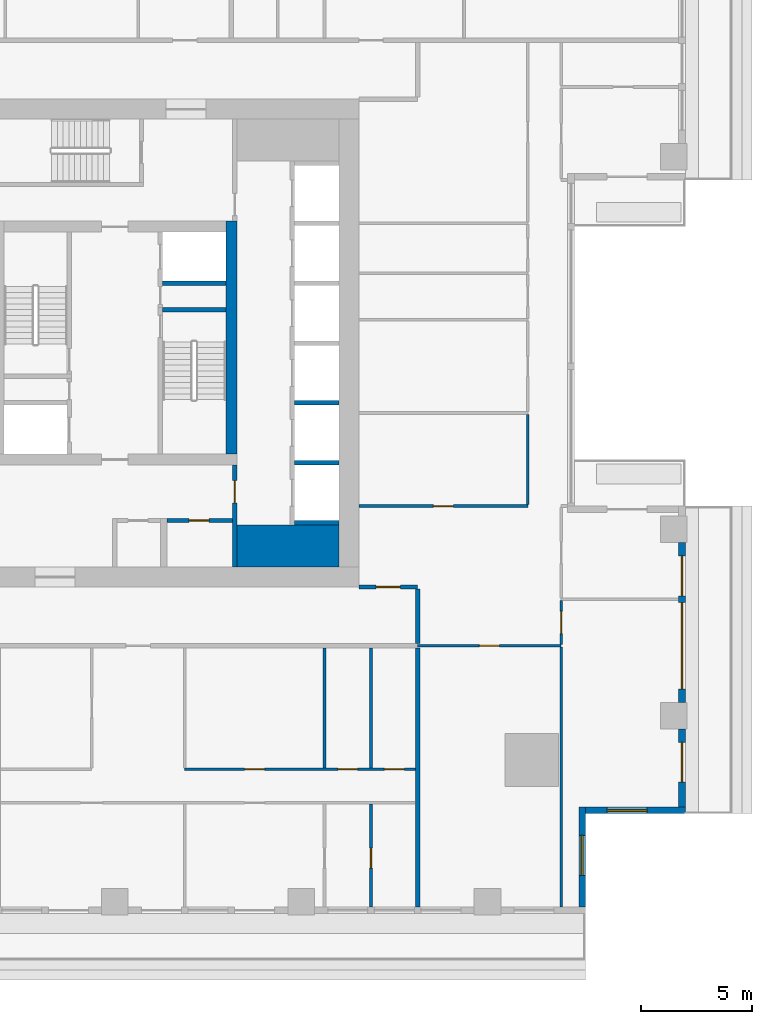
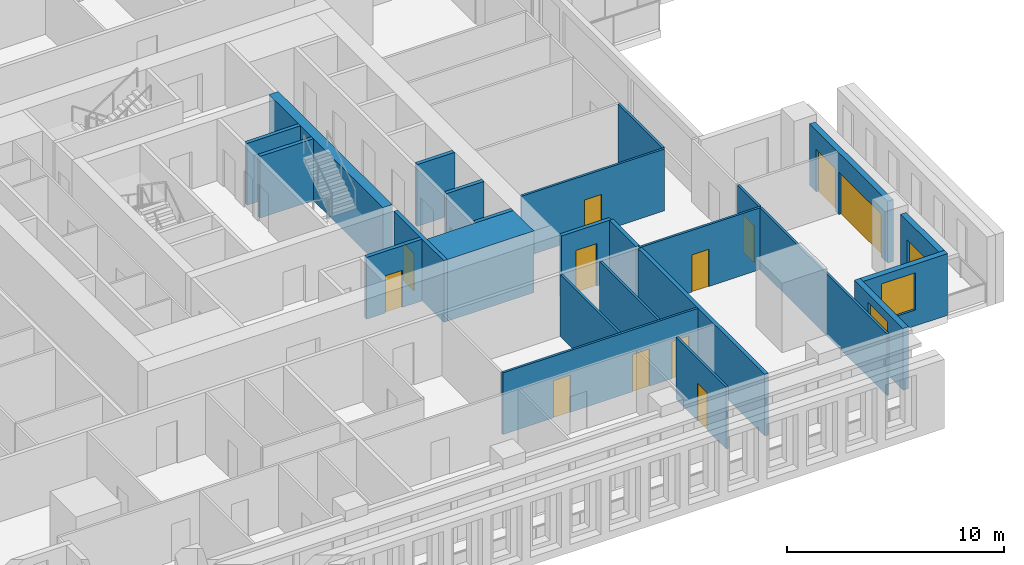
# One storey, part 5 of 16: 25 walls, 13 doors, 2 windows, 15 openings.
"""IFC4 building model written with IfcOpenShell, lengths in metres."""

from ifc_helpers import new_model, si_unit, direction, frame, frame_2d, origin, place, context, subcontext, project, spatial, rectangle, extrude, material, layer, layer_set, type_object, element, fill, save


model = new_model("IFC4")

# Units and contexts
model_context = context("Model", 3, precision=1e-05, world=origin(), true_north=direction((0.0, 1.0)))
body_context = subcontext(model_context, "Body", "Model", "MODEL_VIEW")
ifc_project = project(units=[si_unit("LENGTHUNIT", "METRE"), si_unit("AREAUNIT", "SQUARE_METRE"), si_unit("VOLUMEUNIT", "CUBIC_METRE"), si_unit("PLANEANGLEUNIT", "RADIAN"), si_unit("MASSUNIT", "GRAM", prefix="KILO")], contexts=[model_context])

# Site, building, storey
site_placement = place(None, origin())
site = spatial("IfcSite", under=ifc_project, at=site_placement, CompositionType="ELEMENT")
building_placement = place(site_placement, origin())
building = spatial("IfcBuilding", under=site, at=building_placement, Name="Khepri Terraces", CompositionType="ELEMENT")
storey_placement = place(building_placement, frame((0.0, 0.0, 204.0)))
storey = spatial("IfcBuildingStorey", under=building, at=storey_placement, Name="L48", CompositionType="ELEMENT", Elevation=204.0)

# Walls
ifc_material_1 = material(Name="Concrete C50/60", Category="concrete")
ifc_layer_1 = layer(ifc_material_1, 1.89990234375, Name="Concrete C50/60", Category="concrete")
ifc_layer_set_1 = layer_set([ifc_layer_1], Name="Concrete C50/60")
wall_type_1 = type_object("IfcWallType", Name="Core wall 1900 C50/60", PredefinedType="SHEAR", material=ifc_layer_set_1)
wall_1_placement = place(storey_placement, frame((5.5, -9.14990234375, 0.0), z_axis=(0.0, 0.0, 1.0), x_axis=(1.0, 0.0, 0.0)))
element("IfcWall", 1, at=wall_1_placement, inside=storey, type_object=wall_type_1, Name="Core wall PR02 L48", PredefinedType="SHEAR", context=body_context, shape_type="SweptSolid", body=[
    extrude(rectangle(XDim=4.60009765625, YDim=1.89990234375, at=frame_2d((2.300048828125, 0.0))), origin(), (0.0, 0.0, 1.0), 3.47998046875),
])
ifc_layer_2 = layer(ifc_material_1, 0.199951171875, Name="Concrete C50/60", Category="concrete")
ifc_layer_set_2 = layer_set([ifc_layer_2], Name="Concrete C50/60")
wall_type_2 = type_object("IfcWallType", Name="Core wall 200 C50/60", PredefinedType="SHEAR", material=ifc_layer_set_2)
wall_2_placement = place(storey_placement, frame((2.14990234375, 1.5, 0.0), z_axis=(0.0, 0.0, 1.0), x_axis=(1.0, 0.0, 0.0)))
element("IfcWall", 2, at=wall_2_placement, inside=storey, type_object=wall_type_2, Name="Core wall ST04 L48", PredefinedType="SHEAR", context=body_context, shape_type="SweptSolid", body=[
    extrude(rectangle(XDim=2.85009765625, YDim=0.199951171875, at=frame_2d((1.425048828125, 0.0))), origin(), (0.0, 0.0, 1.0), 3.47998046875),
])
for number, where, z_axis, x_axis, name in (
    (3, (8.10009765625, -8.10009765625, 0.0), (0.0, 0.0, 1.0), (1.0, 0.0, 0.0), "Core wall SH03 L48"),
    (4, (8.10009765625, -5.39990234375, 0.0), (0.0, 0.0, 1.0), (1.0, 0.0, 0.0), "Core wall SH04 L48"),
    (5, (8.10009765625, -2.699951171875, 0.0), (0.0, 0.0, 1.0), (1.0, 0.0, 0.0), "Core wall SH08 L48"),
):
    element("IfcWall", number, at=place(storey_placement, frame(where, z_axis=z_axis, x_axis=x_axis)), inside=storey, type_object=wall_type_2, Name=name, PredefinedType="SHEAR", context=body_context, shape_type="SweptSolid", body=[
        extrude(rectangle(XDim=2.0, YDim=0.199951171875, at=frame_2d((1.0, 0.0))), origin(), (0.0, 0.0, 1.0), 3.47998046875),
    ])
wall_3_placement = place(storey_placement, frame((2.14990234375, 2.699951171875, 0.0), z_axis=(0.0, 0.0, 1.0), x_axis=(1.0, 0.0, 0.0)))
element("IfcWall", 6, at=wall_3_placement, inside=storey, type_object=wall_type_2, Name="Core wall SH12 L48", PredefinedType="SHEAR", context=body_context, shape_type="SweptSolid", body=[
    extrude(rectangle(XDim=2.85009765625, YDim=0.199951171875, at=frame_2d((1.425048828125, 0.0))), origin(), (0.0, 0.0, 1.0), 3.47998046875),
])
ifc_layer_3 = layer(ifc_material_1, 0.5, Name="Concrete C50/60", Category="concrete")
ifc_layer_set_3 = layer_set([ifc_layer_3], Name="Concrete C50/60")
wall_type_3 = type_object("IfcWallType", Name="Core wall 500 C50/60", PredefinedType="SHEAR", material=ifc_layer_set_3)
wall_4_placement = place(storey_placement, frame((5.25, -5.0, 0.0), z_axis=(0.0, 0.0, 1.0), x_axis=(0.0, 1.0, 0.0)))
element("IfcWall", 7, at=wall_4_placement, inside=storey, type_object=wall_type_3, Name="Core wall BX03 L48", PredefinedType="SHEAR", context=body_context, shape_type="SweptSolid", body=[
    extrude(rectangle(XDim=10.5, YDim=0.5, at=frame_2d((5.25, 0.0))), origin(), (0.0, 0.0, 1.0), 3.47998046875),
])

# Wall, opening, door
ifc_material_2 = material(Name="Fire-rated gypsum board partition")
ifc_layer_4 = layer(ifc_material_2, 0.199951171875, Name="Fire-rated gypsum board partition")
ifc_layer_set_4 = layer_set([ifc_layer_4], Name="Fire-rated gypsum board partition")
wall_type_4 = type_object("IfcWallType", Name="WL-CORE-PART-200", PredefinedType="PARTITIONING", material=ifc_layer_set_4)
wall_5_placement = place(storey_placement, frame((5.39990234375, -10.10009765625, 0.0), z_axis=(0.0, 0.0, 1.0), x_axis=(0.0, 1.0, 0.0)))
wall_5 = element("IfcWall", 8, at=wall_5_placement, inside=storey, type_object=wall_type_4, Name="Core partition PT04 L48", PredefinedType="PARTITIONING", context=body_context, shape_type="SweptSolid", body=[
    extrude(rectangle(XDim=4.60009765625, YDim=0.199951171875, at=frame_2d((2.300048828125, 0.0))), origin(), (0.0, 0.0, 1.0), 3.47998046875),
])
opening_1_placement = place(wall_5_placement, frame((2.89990234375, 0.0, 0.0)))
opening_1 = element("IfcOpeningElement", 9, at=opening_1_placement, cuts=wall_5, Name="Opening L48-C19", PredefinedType="OPENING", context=body_context, shape_type="SweptSolid", body=[
    extrude(rectangle(XDim=1.0, YDim=2.10009765625, at=frame_2d((0.5, 1.050048828125))), frame((0.0, 0.10986328125, 0.0), z_axis=(0.0, -1.0, 0.0), x_axis=(1.0, 0.0, 0.0)), (0.0, 0.0, 1.0), 0.219970703125),
])
ifc_material_3 = material(Name="Painted steel", Category="steel")
door_type_1 = type_object("IfcDoorType", Name="DR-CORE-LOBBY-1000", OperationType="NOTDEFINED", PredefinedType="DOOR", material=ifc_material_3)
door_1_placement = place(opening_1_placement, origin())
door_1 = element("IfcDoor", 10, at=door_1_placement, inside=storey, type_object=door_type_1, Name="Lobby door L48-C19", OperationType="SINGLE_SWING_RIGHT", OverallHeight=2.10009765625, OverallWidth=1.0, PredefinedType="DOOR", context=body_context, shape_type="SweptSolid", body=[
    extrude(rectangle(XDim=1.0, YDim=2.10009765625, at=frame_2d((0.5, 1.050048828125))), frame((0.0, 0.02490234375, 0.0), z_axis=(0.0, -1.0, 0.0), x_axis=(1.0, 0.0, 0.0)), (0.0, 0.0, 1.0), 0.050048828125),
])
fill(opening_1, door_1)

wall_6_placement = place(storey_placement, frame((2.35009765625, -8.0, 0.0), z_axis=(0.0, 0.0, 1.0), x_axis=(1.0, 0.0, 0.0)))
wall_6 = element("IfcWall", 11, at=wall_6_placement, inside=storey, type_object=wall_type_4, Name="Core partition PT07 L48", PredefinedType="PARTITIONING", context=body_context, shape_type="SweptSolid", body=[
    extrude(rectangle(XDim=2.949951171875, YDim=0.199951171875, at=frame_2d((1.47509765625, 0.0))), origin(), (0.0, 0.0, 1.0), 3.47998046875),
])
opening_2_placement = place(wall_6_placement, frame((1.0, 0.0, 0.0)))
opening_2 = element("IfcOpeningElement", 12, at=opening_2_placement, cuts=wall_6, Name="Opening L48-C23", PredefinedType="OPENING", context=body_context, shape_type="SweptSolid", body=[
    extrude(rectangle(XDim=0.89990234375, YDim=2.10009765625, at=frame_2d((0.449951171875, 1.050048828125))), frame((0.0, 0.10986328125, 0.0), z_axis=(0.0, -1.0, 0.0), x_axis=(1.0, 0.0, 0.0)), (0.0, 0.0, 1.0), 0.219970703125),
])
door_type_2 = type_object("IfcDoorType", Name="DR-CORE-SERVICE-900", OperationType="NOTDEFINED", PredefinedType="DOOR", material=ifc_material_3)
door_2_placement = place(opening_2_placement, frame((0.89990234375, 0.0, 0.0), z_axis=(0.0, 0.0, 1.0), x_axis=(-1.0, 0.0, 0.0)))
door_2 = element("IfcDoor", 13, at=door_2_placement, inside=storey, type_object=door_type_2, Name="Service room door L48-C23", OperationType="SINGLE_SWING_RIGHT", OverallHeight=2.10009765625, OverallWidth=0.89990234375, PredefinedType="DOOR", context=body_context, shape_type="SweptSolid", body=[
    extrude(rectangle(XDim=0.89990234375, YDim=2.10009765625, at=frame_2d((0.449951171875, 1.050048828125))), frame((0.0, 0.02490234375, 0.0), z_axis=(0.0, -1.0, 0.0), x_axis=(1.0, 0.0, 0.0)), (0.0, 0.0, 1.0), 0.050048828125),
])
fill(opening_2, door_2)

# Walls
ifc_material_4 = material(Name="Fire-rated gypsum plasterboard partition, mineral wool")
ifc_layer_5 = layer(ifc_material_4, 0.199951171875, Name="Fire-rated gypsum plasterboard partition, mineral wool")
ifc_layer_set_5 = layer_set([ifc_layer_5], Name="Fire-rated gypsum plasterboard partition, mineral wool")
wall_type_5 = type_object("IfcWallType", Name="WL-CORR-200", PredefinedType="PARTITIONING", material=ifc_layer_set_5)
wall_7_placement = place(storey_placement, frame((13.64990234375, -25.419921875, 0.0), z_axis=(0.0, 0.0, 1.0), x_axis=(0.0, 1.0, 0.0)))
element("IfcWall", 14, at=wall_7_placement, inside=storey, type_object=wall_type_5, Name="Partition P-008 L48", PredefinedType="PARTITIONING", context=body_context, shape_type="SweptSolid", body=[
    extrude(rectangle(XDim=11.669921875, YDim=0.199951171875, at=frame_2d((5.8349609375, 0.0))), origin(), (0.0, 0.0, 1.0), 3.47998046875),
])
wall_8_placement = place(storey_placement, frame((13.64990234375, -13.550048828125, 0.0), z_axis=(0.0, 0.0, 1.0), x_axis=(0.0, 1.0, 0.0)))
element("IfcWall", 15, at=wall_8_placement, inside=storey, type_object=wall_type_5, Name="Partition P-029 L48", PredefinedType="PARTITIONING", context=body_context, shape_type="SweptSolid", body=[
    extrude(rectangle(XDim=2.449951171875, YDim=0.199951171875, at=frame_2d((1.22509765625, 0.0))), origin(), (0.0, 0.0, 1.0), 3.47998046875),
])

# Wall, opening, door
wall_9_placement = place(storey_placement, frame((11.0, -11.0, 0.0), z_axis=(0.0, 0.0, 1.0), x_axis=(1.0, 0.0, 0.0)))
wall_9 = element("IfcWall", 16, at=wall_9_placement, inside=storey, type_object=wall_type_5, Name="Partition P-036 L48", PredefinedType="PARTITIONING", context=body_context, shape_type="SweptSolid", body=[
    extrude(rectangle(XDim=2.64990234375, YDim=0.199951171875, at=frame_2d((1.324951171875, 0.0))), origin(), (0.0, 0.0, 1.0), 3.47998046875),
])
opening_3_placement = place(wall_9_placement, frame((0.77490234375, 0.0, 0.0)))
opening_3 = element("IfcOpeningElement", 17, at=opening_3_placement, cuts=wall_9, Name="Opening D1", PredefinedType="OPENING", context=body_context, shape_type="SweptSolid", body=[
    extrude(rectangle(XDim=1.10009765625, YDim=2.39990234375, at=frame_2d((0.550048828125, 1.199951171875))), frame((0.0, 0.10986328125, 0.0), z_axis=(0.0, -1.0, 0.0), x_axis=(1.0, 0.0, 0.0)), (0.0, 0.0, 1.0), 0.219970703125),
])
ifc_material_5 = material(Name="Solid-core timber door leaf, flat entrance door", Category="wood")
door_type_3 = type_object("IfcDoorType", Name="DR-ENT-1100", OperationType="NOTDEFINED", PredefinedType="DOOR", material=ifc_material_5)
door_3_placement = place(opening_3_placement, origin())
door_3 = element("IfcDoor", 18, at=door_3_placement, inside=storey, type_object=door_type_3, Name="Flat B1 entrance door", OperationType="SINGLE_SWING_LEFT", OverallHeight=2.39990234375, OverallWidth=1.10009765625, PredefinedType="DOOR", context=body_context, shape_type="SweptSolid", body=[
    extrude(rectangle(XDim=1.10009765625, YDim=2.39990234375, at=frame_2d((0.550048828125, 1.199951171875))), frame((0.0, 0.02490234375, 0.0), z_axis=(0.0, -1.0, 0.0), x_axis=(1.0, 0.0, 0.0)), (0.0, 0.0, 1.0), 0.050048828125),
])
fill(opening_3, door_3)

# Wall, opening, window
ifc_material_6 = material(Name="Precast concrete C50/60 warm stone", Category="masonry")
ifc_layer_6 = layer(ifc_material_6, 0.300048828125, Name="Precast concrete C50/60 warm stone", Category="masonry")
ifc_layer_set_6 = layer_set([ifc_layer_6], Name="Precast concrete C50/60 warm stone")
wall_type_6 = type_object("IfcWallType", Name="WL-EXT-PRECAST-300", PredefinedType="STANDARD", material=ifc_layer_set_6)
wall_10_placement = place(storey_placement, frame((21.219970703125, -21.070068359375, 0.0), z_axis=(0.0, 0.0, 1.0), x_axis=(1.0, 0.0, 0.0)))
wall_10 = element("IfcWall", 19, at=wall_10_placement, inside=storey, type_object=wall_type_6, Name="External wall L48 S", PredefinedType="STANDARD", context=body_context, shape_type="SweptSolid", body=[
    extrude(rectangle(XDim=4.5, YDim=0.300048828125, at=frame_2d((2.25, 0.0))), origin(), (0.0, 0.0, 1.0), 3.47998046875),
])
opening_4_placement = place(wall_10_placement, frame((0.97998046875, 0.0, 0.89990234375)))
opening_4 = element("IfcOpeningElement", 20, at=opening_4_placement, cuts=wall_10, Name="Opening W1", PredefinedType="OPENING", context=body_context, shape_type="SweptSolid", body=[
    extrude(rectangle(XDim=1.800048828125, YDim=2.10009765625, at=frame_2d((0.89990234375, 1.050048828125))), frame((0.0, 0.16015625, 0.0), z_axis=(0.0, -1.0, 0.0), x_axis=(1.0, 0.0, 0.0)), (0.0, 0.0, 1.0), 0.320068359375),
])
ifc_material_7 = material(Name="Clear glass", Category="glass")
window_type = type_object("IfcWindowType", Name="WIN-RES-1800x2100", PartitioningType="SINGLE_PANEL", PredefinedType="WINDOW", material=ifc_material_7)
window_1_placement = place(opening_4_placement, origin())
window_1 = element("IfcWindow", 21, at=window_1_placement, inside=storey, type_object=window_type, Name="Window L48 S", OverallHeight=2.10009765625, OverallWidth=1.800048828125, PartitioningType="SINGLE_PANEL", PredefinedType="WINDOW", context=body_context, shape_type="SweptSolid", body=[
    extrude(rectangle(XDim=1.800048828125, YDim=2.10009765625, at=frame_2d((0.89990234375, 1.050048828125))), frame((0.0, 0.030029296875, 0.0), z_axis=(0.0, -1.0, 0.0), x_axis=(1.0, 0.0, 0.0)), (0.0, 0.0, 1.0), 0.06005859375),
])
fill(opening_4, window_1)

# Wall, opening, door
wall_11_placement = place(storey_placement, frame((25.570068359375, -20.919921875, 0.0), z_axis=(0.0, 0.0, 1.0), x_axis=(0.0, 1.0, 0.0)))
wall_11 = element("IfcWall", 22, at=wall_11_placement, inside=storey, type_object=wall_type_6, Name="External wall L48 E", PredefinedType="STANDARD", context=body_context, shape_type="SweptSolid", body=[
    extrude(rectangle(XDim=3.52001953125, YDim=0.300048828125, at=frame_2d((1.760009765625, 0.0))), origin(), (0.0, 0.0, 1.0), 3.47998046875),
])
opening_5_placement = place(wall_11_placement, frame((1.1201171875, 0.0, 0.0)))
opening_5 = element("IfcOpeningElement", 23, at=opening_5_placement, cuts=wall_11, Name="Opening ED-L48-01", PredefinedType="OPENING", context=body_context, shape_type="SweptSolid", body=[
    extrude(rectangle(XDim=1.800048828125, YDim=2.39990234375, at=frame_2d((0.89990234375, 1.199951171875))), frame((0.0, 0.16015625, 0.0), z_axis=(0.0, -1.0, 0.0), x_axis=(1.0, 0.0, 0.0)), (0.0, 0.0, 1.0), 0.320068359375),
])
ifc_material_8 = material(Name="Anodised aluminium bronze glazed door", Category="aluminium")
door_type_4 = type_object("IfcDoorType", Name="DR-BAL-SLIDE-1800x2400", OperationType="NOTDEFINED", PredefinedType="DOOR", material=ifc_material_8)
door_4_placement = place(opening_5_placement, origin())
door_4 = element("IfcDoor", 24, at=door_4_placement, inside=storey, type_object=door_type_4, Name="Balcony door L48 E", OperationType="SLIDING_TO_RIGHT", OverallHeight=2.39990234375, OverallWidth=1.800048828125, PredefinedType="DOOR", context=body_context, shape_type="SweptSolid", body=[
    extrude(rectangle(XDim=1.800048828125, YDim=2.39990234375, at=frame_2d((0.89990234375, 1.199951171875))), frame((0.0, 0.02490234375, 0.0), z_axis=(0.0, -1.0, 0.0), x_axis=(1.0, 0.0, 0.0)), (0.0, 0.0, 1.0), 0.050048828125),
])
fill(opening_5, door_4)

# Wall, openings, doors
wall_12_placement = place(storey_placement, frame((25.570068359375, -16.199951171875, 0.0), z_axis=(0.0, 0.0, 1.0), x_axis=(0.0, 1.0, 0.0)))
wall_12 = element("IfcWall", 25, at=wall_12_placement, inside=storey, type_object=wall_type_6, Name="External wall L48 E", PredefinedType="STANDARD", context=body_context, shape_type="SweptSolid", body=[
    extrude(rectangle(XDim=7.199951171875, YDim=0.300048828125, at=frame_2d((3.60009765625, 0.0))), origin(), (0.0, 0.0, 1.0), 3.47998046875),
])
opening_6_placement = place(wall_12_placement, frame((0.60009765625, 0.0, 0.0)))
opening_6 = element("IfcOpeningElement", 26, at=opening_6_placement, cuts=wall_12, Name="Opening ED-L48-02", PredefinedType="OPENING", context=body_context, shape_type="SweptSolid", body=[
    extrude(rectangle(XDim=3.89990234375, YDim=2.39990234375, at=frame_2d((1.949951171875, 1.199951171875))), frame((0.0, 0.16015625, 0.0), z_axis=(0.0, -1.0, 0.0), x_axis=(1.0, 0.0, 0.0)), (0.0, 0.0, 1.0), 0.320068359375),
])
opening_7_placement = place(wall_12_placement, frame((4.800048828125, 0.0, 0.0)))
opening_7 = element("IfcOpeningElement", 27, at=opening_7_placement, cuts=wall_12, Name="Opening ED-L48-03", PredefinedType="OPENING", context=body_context, shape_type="SweptSolid", body=[
    extrude(rectangle(XDim=1.800048828125, YDim=2.39990234375, at=frame_2d((0.89990234375, 1.199951171875))), frame((0.0, 0.16015625, 0.0), z_axis=(0.0, -1.0, 0.0), x_axis=(1.0, 0.0, 0.0)), (0.0, 0.0, 1.0), 0.320068359375),
])
door_5_placement = place(opening_7_placement, origin())
door_5 = element("IfcDoor", 28, at=door_5_placement, inside=storey, type_object=door_type_4, Name="Balcony door L48 E", OperationType="SLIDING_TO_RIGHT", OverallHeight=2.39990234375, OverallWidth=1.800048828125, PredefinedType="DOOR", context=body_context, shape_type="SweptSolid", body=[
    extrude(rectangle(XDim=1.800048828125, YDim=2.39990234375, at=frame_2d((0.89990234375, 1.199951171875))), frame((0.0, 0.02490234375, 0.0), z_axis=(0.0, -1.0, 0.0), x_axis=(1.0, 0.0, 0.0)), (0.0, 0.0, 1.0), 0.050048828125),
])
fill(opening_7, door_5)
door_type_5 = type_object("IfcDoorType", Name="DR-BAL-SLIDE-3900x2400", OperationType="NOTDEFINED", PredefinedType="DOOR", material=ifc_material_8)
door_6_placement = place(opening_6_placement, origin())
door_6 = element("IfcDoor", 29, at=door_6_placement, inside=storey, type_object=door_type_5, Name="Balcony door L48 E", OperationType="SLIDING_TO_LEFT", OverallHeight=2.39990234375, OverallWidth=3.89990234375, PredefinedType="DOOR", context=body_context, shape_type="SweptSolid", body=[
    extrude(rectangle(XDim=3.89990234375, YDim=2.39990234375, at=frame_2d((1.949951171875, 1.199951171875))), frame((0.0, 0.02490234375, 0.0), z_axis=(0.0, -1.0, 0.0), x_axis=(1.0, 0.0, 0.0)), (0.0, 0.0, 1.0), 0.050048828125),
])
fill(opening_6, door_6)

# Wall, opening, window
wall_13_placement = place(storey_placement, frame((21.070068359375, -25.419921875, 0.0), z_axis=(0.0, 0.0, 1.0), x_axis=(0.0, 1.0, 0.0)))
wall_13 = element("IfcWall", 30, at=wall_13_placement, inside=storey, type_object=wall_type_6, Name="External wall L48 E", PredefinedType="STANDARD", context=body_context, shape_type="SweptSolid", body=[
    extrude(rectangle(XDim=4.5, YDim=0.300048828125, at=frame_2d((2.25, 0.0))), origin(), (0.0, 0.0, 1.0), 3.47998046875),
])
opening_8_placement = place(wall_13_placement, frame((1.419921875, 0.0, 0.89990234375)))
opening_8 = element("IfcOpeningElement", 31, at=opening_8_placement, cuts=wall_13, Name="Opening W1", PredefinedType="OPENING", context=body_context, shape_type="SweptSolid", body=[
    extrude(rectangle(XDim=1.800048828125, YDim=2.10009765625, at=frame_2d((0.89990234375, 1.050048828125))), frame((0.0, 0.16015625, 0.0), z_axis=(0.0, -1.0, 0.0), x_axis=(1.0, 0.0, 0.0)), (0.0, 0.0, 1.0), 0.320068359375),
])
window_2_placement = place(opening_8_placement, origin())
window_2 = element("IfcWindow", 32, at=window_2_placement, inside=storey, type_object=window_type, Name="Window L48 E", OverallHeight=2.10009765625, OverallWidth=1.800048828125, PartitioningType="SINGLE_PANEL", PredefinedType="WINDOW", context=body_context, shape_type="SweptSolid", body=[
    extrude(rectangle(XDim=1.800048828125, YDim=2.10009765625, at=frame_2d((0.89990234375, 1.050048828125))), frame((0.0, 0.030029296875, 0.0), z_axis=(0.0, -1.0, 0.0), x_axis=(1.0, 0.0, 0.0)), (0.0, 0.0, 1.0), 0.06005859375),
])
fill(opening_8, window_2)

# Wall, opening, door
ifc_material_9 = material(Name="Gypsum plasterboard partition")
ifc_layer_7 = layer(ifc_material_9, 0.1201171875, Name="Gypsum plasterboard partition")
ifc_layer_set_7 = layer_set([ifc_layer_7], Name="Gypsum plasterboard partition")
wall_type_7 = type_object("IfcWallType", Name="WL-PART-120", PredefinedType="PARTITIONING", material=ifc_layer_set_7)
wall_14_placement = place(storey_placement, frame((11.550048828125, -25.419921875, 0.0), z_axis=(0.0, 0.0, 1.0), x_axis=(0.0, 1.0, 0.0)))
wall_14 = element("IfcWall", 33, at=wall_14_placement, inside=storey, type_object=wall_type_7, Name="Partition P-007 L48", PredefinedType="PARTITIONING", context=body_context, shape_type="SweptSolid", body=[
    extrude(rectangle(XDim=4.639892578125, YDim=0.1201171875, at=frame_2d((2.31982421875, 0.0))), origin(), (0.0, 0.0, 1.0), 3.47998046875),
])
opening_9_placement = place(wall_14_placement, frame((1.75, 0.0, 0.0)))
opening_9 = element("IfcOpeningElement", 34, at=opening_9_placement, cuts=wall_14, Name="Opening D4", PredefinedType="OPENING", context=body_context, shape_type="SweptSolid", body=[
    extrude(rectangle(XDim=0.89990234375, YDim=2.10009765625, at=frame_2d((0.449951171875, 1.050048828125))), frame((0.0, 0.070068359375, 0.0), z_axis=(0.0, -1.0, 0.0), x_axis=(1.0, 0.0, 0.0)), (0.0, 0.0, 1.0), 0.14013671875),
])
ifc_material_10 = material(Name="Timber door leaf, moisture resistant", Category="wood")
door_type_6 = type_object("IfcDoorType", Name="DR-WET-900", OperationType="NOTDEFINED", PredefinedType="DOOR", material=ifc_material_10)
door_7_placement = place(opening_9_placement, frame((0.89990234375, 0.0, 0.0), z_axis=(0.0, 0.0, 1.0), x_axis=(-1.0, 0.0, 0.0)))
door_7 = element("IfcDoor", 35, at=door_7_placement, inside=storey, type_object=door_type_6, Name="Door Bathroom", OperationType="SINGLE_SWING_RIGHT", OverallHeight=2.10009765625, OverallWidth=0.89990234375, PredefinedType="DOOR", context=body_context, shape_type="SweptSolid", body=[
    extrude(rectangle(XDim=0.89990234375, YDim=2.10009765625, at=frame_2d((0.449951171875, 1.050048828125))), frame((0.0, 0.02490234375, 0.0), z_axis=(0.0, -1.0, 0.0), x_axis=(1.0, 0.0, 0.0)), (0.0, 0.0, 1.0), 0.050048828125),
])
fill(opening_9, door_7)

# Wall
wall_15_placement = place(storey_placement, frame((20.1201171875, -25.419921875, 0.0), z_axis=(0.0, 0.0, 1.0), x_axis=(0.0, 1.0, 0.0)))
element("IfcWall", 36, at=wall_15_placement, inside=storey, type_object=wall_type_7, Name="Partition P-009 L48", PredefinedType="PARTITIONING", context=body_context, shape_type="SweptSolid", body=[
    extrude(rectangle(XDim=11.7099609375, YDim=0.1201171875, at=frame_2d((5.85498046875, 0.0))), origin(), (0.0, 0.0, 1.0), 3.47998046875),
])

# Wall, openings, doors
wall_16_placement = place(storey_placement, frame((3.14990234375, -19.219970703125, 0.0), z_axis=(0.0, 0.0, 1.0), x_axis=(1.0, 0.0, 0.0)))
wall_16 = element("IfcWall", 37, at=wall_16_placement, inside=storey, type_object=wall_type_7, Name="Partition P-015 L48", PredefinedType="PARTITIONING", context=body_context, shape_type="SweptSolid", body=[
    extrude(rectangle(XDim=10.400146484375, YDim=0.1201171875, at=frame_2d((5.2001953125, 0.0))), origin(), (0.0, 0.0, 1.0), 3.47998046875),
])
opening_10_placement = place(wall_16_placement, frame((2.699951171875, 0.0, 0.0)))
opening_10 = element("IfcOpeningElement", 38, at=opening_10_placement, cuts=wall_16, Name="Opening D3", PredefinedType="OPENING", context=body_context, shape_type="SweptSolid", body=[
    extrude(rectangle(XDim=0.89990234375, YDim=2.10009765625, at=frame_2d((0.449951171875, 1.050048828125))), frame((0.0, 0.070068359375, 0.0), z_axis=(0.0, -1.0, 0.0), x_axis=(1.0, 0.0, 0.0)), (0.0, 0.0, 1.0), 0.14013671875),
])
opening_11_placement = place(wall_16_placement, frame((6.89990234375, 0.0, 0.0)))
opening_11 = element("IfcOpeningElement", 39, at=opening_11_placement, cuts=wall_16, Name="Opening D4", PredefinedType="OPENING", context=body_context, shape_type="SweptSolid", body=[
    extrude(rectangle(XDim=0.89990234375, YDim=2.10009765625, at=frame_2d((0.449951171875, 1.050048828125))), frame((0.0, 0.070068359375, 0.0), z_axis=(0.0, -1.0, 0.0), x_axis=(1.0, 0.0, 0.0)), (0.0, 0.0, 1.0), 0.14013671875),
])
opening_12_placement = place(wall_16_placement, frame((9.0, 0.0, 0.0)))
opening_12 = element("IfcOpeningElement", 40, at=opening_12_placement, cuts=wall_16, Name="Opening D3", PredefinedType="OPENING", context=body_context, shape_type="SweptSolid", body=[
    extrude(rectangle(XDim=0.89990234375, YDim=2.10009765625, at=frame_2d((0.449951171875, 1.050048828125))), frame((0.0, 0.070068359375, 0.0), z_axis=(0.0, -1.0, 0.0), x_axis=(1.0, 0.0, 0.0)), (0.0, 0.0, 1.0), 0.14013671875),
])
ifc_material_11 = material(Name="Timber door leaf", Category="wood")
door_type_7 = type_object("IfcDoorType", Name="DR-INT-900", OperationType="NOTDEFINED", PredefinedType="DOOR", material=ifc_material_11)
door_8_placement = place(opening_10_placement, origin())
door_8 = element("IfcDoor", 41, at=door_8_placement, inside=storey, type_object=door_type_7, Name="Door Kitchen", OperationType="SINGLE_SWING_LEFT", OverallHeight=2.10009765625, OverallWidth=0.89990234375, PredefinedType="DOOR", context=body_context, shape_type="SweptSolid", body=[
    extrude(rectangle(XDim=0.89990234375, YDim=2.10009765625, at=frame_2d((0.449951171875, 1.050048828125))), frame((0.0, 0.02490234375, 0.0), z_axis=(0.0, -1.0, 0.0), x_axis=(1.0, 0.0, 0.0)), (0.0, 0.0, 1.0), 0.050048828125),
])
fill(opening_10, door_8)
door_9_placement = place(opening_12_placement, origin())
door_9 = element("IfcDoor", 42, at=door_9_placement, inside=storey, type_object=door_type_7, Name="Door Utility Room", OperationType="SINGLE_SWING_RIGHT", OverallHeight=2.10009765625, OverallWidth=0.89990234375, PredefinedType="DOOR", context=body_context, shape_type="SweptSolid", body=[
    extrude(rectangle(XDim=0.89990234375, YDim=2.10009765625, at=frame_2d((0.449951171875, 1.050048828125))), frame((0.0, 0.02490234375, 0.0), z_axis=(0.0, -1.0, 0.0), x_axis=(1.0, 0.0, 0.0)), (0.0, 0.0, 1.0), 0.050048828125),
])
fill(opening_12, door_9)
door_10_placement = place(opening_11_placement, origin())
door_10 = element("IfcDoor", 43, at=door_10_placement, inside=storey, type_object=door_type_6, Name="Door Guest Bathroom", OperationType="SINGLE_SWING_RIGHT", OverallHeight=2.10009765625, OverallWidth=0.89990234375, PredefinedType="DOOR", context=body_context, shape_type="SweptSolid", body=[
    extrude(rectangle(XDim=0.89990234375, YDim=2.10009765625, at=frame_2d((0.449951171875, 1.050048828125))), frame((0.0, 0.02490234375, 0.0), z_axis=(0.0, -1.0, 0.0), x_axis=(1.0, 0.0, 0.0)), (0.0, 0.0, 1.0), 0.050048828125),
])
fill(opening_11, door_10)

# Walls
for number, where, z_axis, x_axis, name in (
    (44, (9.449951171875, -19.159912109375, 0.0), (0.0, 0.0, 1.0), (0.0, 1.0, 0.0), "Partition P-018 L48"),
    (45, (11.550048828125, -19.159912109375, 0.0), (0.0, 0.0, 1.0), (0.0, 1.0, 0.0), "Partition P-019 L48"),
):
    element("IfcWall", number, at=place(storey_placement, frame(where, z_axis=z_axis, x_axis=x_axis)), inside=storey, type_object=wall_type_7, Name=name, PredefinedType="PARTITIONING", context=body_context, shape_type="SweptSolid", body=[
        extrude(rectangle(XDim=5.409912109375, YDim=0.1201171875, at=frame_2d((2.705078125, 0.0))), origin(), (0.0, 0.0, 1.0), 3.47998046875),
    ])

# Wall, opening, door
wall_17_placement = place(storey_placement, frame((13.64990234375, -13.64990234375, 0.0), z_axis=(0.0, 0.0, 1.0), x_axis=(1.0, 0.0, 0.0)))
wall_17 = element("IfcWall", 46, at=wall_17_placement, inside=storey, type_object=wall_type_7, Name="Partition P-024 L48", PredefinedType="PARTITIONING", context=body_context, shape_type="SweptSolid", body=[
    extrude(rectangle(XDim=6.47021484375, YDim=0.1201171875, at=frame_2d((3.235107421875, 0.0))), origin(), (0.0, 0.0, 1.0), 3.47998046875),
])
opening_13_placement = place(wall_17_placement, frame((2.784912109375, 0.0, 0.0)))
opening_13 = element("IfcOpeningElement", 47, at=opening_13_placement, cuts=wall_17, Name="Opening D3", PredefinedType="OPENING", context=body_context, shape_type="SweptSolid", body=[
    extrude(rectangle(XDim=0.89990234375, YDim=2.10009765625, at=frame_2d((0.449951171875, 1.050048828125))), frame((0.0, 0.070068359375, 0.0), z_axis=(0.0, -1.0, 0.0), x_axis=(1.0, 0.0, 0.0)), (0.0, 0.0, 1.0), 0.14013671875),
])
door_11_placement = place(opening_13_placement, frame((0.89990234375, 0.0, 0.0), z_axis=(0.0, 0.0, 1.0), x_axis=(-1.0, 0.0, 0.0)))
door_11 = element("IfcDoor", 48, at=door_11_placement, inside=storey, type_object=door_type_7, Name="Door Home Cinema", OperationType="SINGLE_SWING_LEFT", OverallHeight=2.10009765625, OverallWidth=0.89990234375, PredefinedType="DOOR", context=body_context, shape_type="SweptSolid", body=[
    extrude(rectangle(XDim=0.89990234375, YDim=2.10009765625, at=frame_2d((0.449951171875, 1.050048828125))), frame((0.0, 0.02490234375, 0.0), z_axis=(0.0, -1.0, 0.0), x_axis=(1.0, 0.0, 0.0)), (0.0, 0.0, 1.0), 0.050048828125),
])
fill(opening_13, door_11)

wall_18_placement = place(storey_placement, frame((20.1201171875, -13.590087890625, 0.0), z_axis=(0.0, 0.0, 1.0), x_axis=(0.0, 1.0, 0.0)))
wall_18 = element("IfcWall", 49, at=wall_18_placement, inside=storey, type_object=wall_type_7, Name="Partition P-025 L48", PredefinedType="PARTITIONING", context=body_context, shape_type="SweptSolid", body=[
    extrude(rectangle(XDim=1.97998046875, YDim=0.1201171875, at=frame_2d((0.989990234375, 0.0))), origin(), (0.0, 0.0, 1.0), 3.47998046875),
])
opening_14_placement = place(wall_18_placement, frame((0.489990234375, 0.0, 0.0)))
opening_14 = element("IfcOpeningElement", 50, at=opening_14_placement, cuts=wall_18, Name="Opening D2", PredefinedType="OPENING", context=body_context, shape_type="SweptSolid", body=[
    extrude(rectangle(XDim=1.0, YDim=2.10009765625, at=frame_2d((0.5, 1.050048828125))), frame((0.0, 0.070068359375, 0.0), z_axis=(0.0, -1.0, 0.0), x_axis=(1.0, 0.0, 0.0)), (0.0, 0.0, 1.0), 0.14013671875),
])
ifc_material_12 = material(Name="Timber door leaf, living room door", Category="wood")
door_type_8 = type_object("IfcDoorType", Name="DR-INT-1000", OperationType="NOTDEFINED", PredefinedType="DOOR", material=ifc_material_12)
door_12_placement = place(opening_14_placement, frame((1.0, 0.0, 0.0), z_axis=(0.0, 0.0, 1.0), x_axis=(-1.0, 0.0, 0.0)))
door_12 = element("IfcDoor", 51, at=door_12_placement, inside=storey, type_object=door_type_8, Name="Door Living Room", OperationType="SINGLE_SWING_RIGHT", OverallHeight=2.10009765625, OverallWidth=1.0, PredefinedType="DOOR", context=body_context, shape_type="SweptSolid", body=[
    extrude(rectangle(XDim=1.0, YDim=2.10009765625, at=frame_2d((0.5, 1.050048828125))), frame((0.0, 0.02490234375, 0.0), z_axis=(0.0, -1.0, 0.0), x_axis=(1.0, 0.0, 0.0)), (0.0, 0.0, 1.0), 0.050048828125),
])
fill(opening_14, door_12)

wall_19_placement = place(storey_placement, frame((11.0, -7.35009765625, 0.0), z_axis=(0.0, 0.0, 1.0), x_axis=(1.0, 0.0, 0.0)))
wall_19 = element("IfcWall", 52, at=wall_19_placement, inside=storey, type_object=wall_type_7, Name="Partition P-038 L48", PredefinedType="PARTITIONING", context=body_context, shape_type="SweptSolid", body=[
    extrude(rectangle(XDim=7.6201171875, YDim=0.1201171875, at=frame_2d((3.81005859375, 0.0))), origin(), (0.0, 0.0, 1.0), 3.47998046875),
])
opening_15_placement = place(wall_19_placement, frame((3.360107421875, 0.0, 0.0)))
opening_15 = element("IfcOpeningElement", 53, at=opening_15_placement, cuts=wall_19, Name="Opening D3", PredefinedType="OPENING", context=body_context, shape_type="SweptSolid", body=[
    extrude(rectangle(XDim=0.89990234375, YDim=2.10009765625, at=frame_2d((0.449951171875, 1.050048828125))), frame((0.0, 0.070068359375, 0.0), z_axis=(0.0, -1.0, 0.0), x_axis=(1.0, 0.0, 0.0)), (0.0, 0.0, 1.0), 0.14013671875),
])
door_13_placement = place(opening_15_placement, origin())
door_13 = element("IfcDoor", 54, at=door_13_placement, inside=storey, type_object=door_type_7, Name="Door Kitchen", OperationType="SINGLE_SWING_RIGHT", OverallHeight=2.10009765625, OverallWidth=0.89990234375, PredefinedType="DOOR", context=body_context, shape_type="SweptSolid", body=[
    extrude(rectangle(XDim=0.89990234375, YDim=2.10009765625, at=frame_2d((0.449951171875, 1.050048828125))), frame((0.0, 0.02490234375, 0.0), z_axis=(0.0, -1.0, 0.0), x_axis=(1.0, 0.0, 0.0)), (0.0, 0.0, 1.0), 0.050048828125),
])
fill(opening_15, door_13)

# Wall
wall_20_placement = place(storey_placement, frame((18.6201171875, -7.2900390625, 0.0), z_axis=(0.0, 0.0, 1.0), x_axis=(0.0, 1.0, 0.0)))
element("IfcWall", 55, at=wall_20_placement, inside=storey, type_object=wall_type_7, Name="Partition P-041 L48", PredefinedType="PARTITIONING", context=body_context, shape_type="SweptSolid", body=[
    extrude(rectangle(XDim=4.080078125, YDim=0.1201171875, at=frame_2d((2.0400390625, 0.0))), origin(), (0.0, 0.0, 1.0), 3.47998046875),
])

save(model, "model.ifc")
